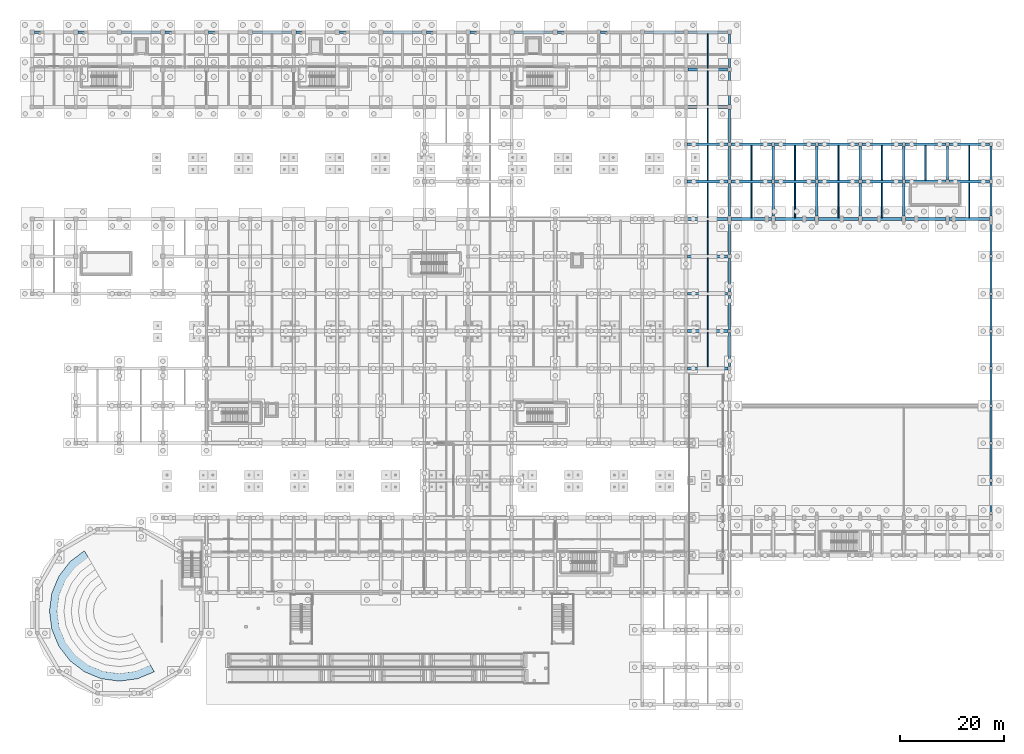
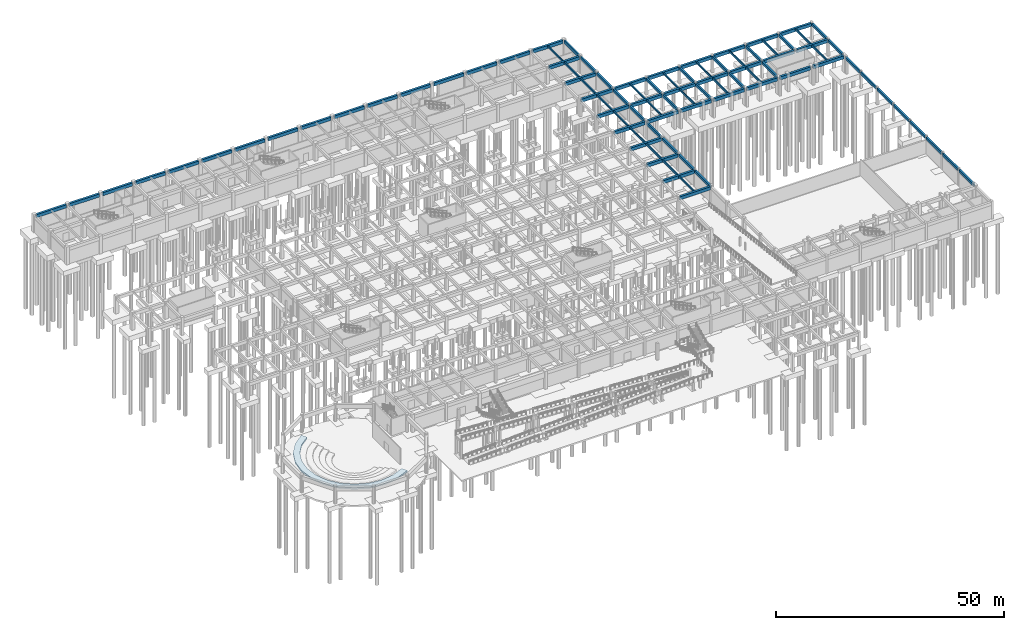
# One storey, part 56 of 80: 91 beams, 1 slab.
"""IFC4 building model written with IfcOpenShell, lengths in metres."""

from ifc_helpers import new_model, si_unit, direction, frame, origin, origin_2d, place, context, subcontext, project, spatial, polyline, rectangle, outline, extrude, material, layer, layer_set, material_profile, profile_set, type_object, element, save


model = new_model("IFC4")

# Units and contexts
model_context = context("Model", 3, precision=1e-05, world=origin(), true_north=direction((0.0, 1.0)))
body_context = subcontext(model_context, "Body", "Model", "MODEL_VIEW")
ifc_project = project(units=[si_unit("LENGTHUNIT", "METRE"), si_unit("AREAUNIT", "SQUARE_METRE"), si_unit("VOLUMEUNIT", "CUBIC_METRE"), si_unit("PLANEANGLEUNIT", "RADIAN"), si_unit("MASSUNIT", "GRAM", prefix="KILO")], contexts=[model_context])

# Site, building, storey
site_placement = place(None, origin())
site = spatial("IfcSite", under=ifc_project, at=site_placement, CompositionType="ELEMENT")
building_placement = place(site_placement, origin())
building = spatial("IfcBuilding", under=site, at=building_placement, Name="Malvenik Polytechnic", CompositionType="ELEMENT")
storey_placement = place(building_placement, frame((0.0, 0.0, -4.800048828125)))
storey = spatial("IfcBuildingStorey", under=building, at=storey_placement, Name="B1", CompositionType="ELEMENT", Elevation=-4.800048828125)

# Beams
ifc_material_1 = material(Name="Concrete C35/45", Category="concrete")
ifc_material_profile_1 = material_profile(ifc_material_1, rectangle(XDim=0.550048828125, YDim=0.85009765625, at=origin_2d()), Name="RC BM 550x850")
ifc_profile_set_1 = profile_set([ifc_material_profile_1], Name="Concrete C35/45")
beam_type_1 = type_object("IfcBeamType", Name="STR-BM-B-01", PredefinedType="BEAM", material=ifc_profile_set_1)
beam_1_placement = place(storey_placement, frame((126.298095703125, 64.800048828125, 4.074951171875), z_axis=(1.0, 0.0, 0.0), x_axis=(0.0, 1.0, 0.0)))
element("IfcBeam", 1, at=beam_1_placement, inside=storey, type_object=beam_type_1, Name="Primary Beam B-01 B1 #93", PredefinedType="BEAM", context=body_context, shape_type="SweptSolid", body=[
    extrude(rectangle(XDim=0.550048828125, YDim=0.85009765625, at=origin_2d()), origin(), (0.0, 0.0, 1.0), 7.77880859375),
])
beam_2_placement = place(storey_placement, frame((126.298095703125, 72.0, 4.074951171875), z_axis=(1.0, 0.0, 0.0), x_axis=(0.0, 1.0, 0.0)))
element("IfcBeam", 2, at=beam_2_placement, inside=storey, type_object=beam_type_1, Name="Primary Beam B-01 B1 #105", PredefinedType="BEAM", context=body_context, shape_type="SweptSolid", body=[
    extrude(rectangle(XDim=0.550048828125, YDim=0.85009765625, at=origin_2d()), origin(), (0.0, 0.0, 1.0), 7.85400390625),
])
for number, where, z_axis, x_axis, name in (
    (3, (126.298095703125, 79.199951171875, 4.074951171875), (1.0, 0.0, 0.0), (0.0, 1.0, 0.0), "Primary Beam B-01 B1 #121"),
    (4, (126.298095703125, 86.39990234375, 4.074951171875), (1.0, 0.0, 0.0), (0.0, 1.0, 0.0), "Primary Beam B-01 B1 #133"),
):
    element("IfcBeam", number, at=place(storey_placement, frame(where, z_axis=z_axis, x_axis=x_axis)), inside=storey, type_object=beam_type_1, Name=name, PredefinedType="BEAM", context=body_context, shape_type="SweptSolid", body=[
        extrude(rectangle(XDim=0.550048828125, YDim=0.85009765625, at=origin_2d()), origin(), (0.0, 0.0, 1.0), 7.75390625),
    ])
beam_3_placement = place(storey_placement, frame((126.347900390625, 93.60009765625, 4.074951171875), z_axis=(1.0, 0.0, 0.0), x_axis=(0.0, 1.0, 0.0)))
element("IfcBeam", 5, at=beam_3_placement, inside=storey, type_object=beam_type_1, Name="Primary Beam B-01 B1 #149", PredefinedType="BEAM", context=body_context, shape_type="SweptSolid", body=[
    extrude(rectangle(XDim=0.550048828125, YDim=0.85009765625, at=origin_2d()), origin(), (0.0, 0.0, 1.0), 7.72900390625),
])
beam_4_placement = place(storey_placement, frame((134.722900390625, 93.60009765625, 4.074951171875), z_axis=(1.0, 0.0, 0.0), x_axis=(0.0, 1.0, 0.0)))
element("IfcBeam", 6, at=beam_4_placement, inside=storey, type_object=beam_type_1, Name="Primary Beam B-01 B1 #150", PredefinedType="BEAM", context=body_context, shape_type="SweptSolid", body=[
    extrude(rectangle(XDim=0.550048828125, YDim=0.85009765625, at=origin_2d()), origin(), (0.0, 0.0, 1.0), 7.754150390625),
])
beam_5_placement = place(storey_placement, frame((143.123046875, 93.60009765625, 4.074951171875), z_axis=(1.0, 0.0, 0.0), x_axis=(0.0, 1.0, 0.0)))
element("IfcBeam", 7, at=beam_5_placement, inside=storey, type_object=beam_type_1, Name="Primary Beam B-01 B1 #151", PredefinedType="BEAM", context=body_context, shape_type="SweptSolid", body=[
    extrude(rectangle(XDim=0.550048828125, YDim=0.85009765625, at=origin_2d()), origin(), (0.0, 0.0, 1.0), 7.75390625),
])
beam_6_placement = place(storey_placement, frame((151.52294921875, 93.60009765625, 4.074951171875), z_axis=(1.0, 0.0, 0.0), x_axis=(0.0, 1.0, 0.0)))
element("IfcBeam", 8, at=beam_6_placement, inside=storey, type_object=beam_type_1, Name="Primary Beam B-01 B1 #152", PredefinedType="BEAM", context=body_context, shape_type="SweptSolid", body=[
    extrude(rectangle(XDim=0.550048828125, YDim=0.85009765625, at=origin_2d()), origin(), (0.0, 0.0, 1.0), 7.754150390625),
])
for number, where, z_axis, x_axis, name in (
    (9, (159.923095703125, 93.60009765625, 4.074951171875), (1.0, 0.0, 0.0), (0.0, 1.0, 0.0), "Primary Beam B-01 B1 #153"),
    (10, (168.322998046875, 93.60009765625, 4.074951171875), (1.0, 0.0, 0.0), (0.0, 1.0, 0.0), "Primary Beam B-01 B1 #154"),
):
    element("IfcBeam", number, at=place(storey_placement, frame(where, z_axis=z_axis, x_axis=x_axis)), inside=storey, type_object=beam_type_1, Name=name, PredefinedType="BEAM", context=body_context, shape_type="SweptSolid", body=[
        extrude(rectangle(XDim=0.550048828125, YDim=0.85009765625, at=origin_2d()), origin(), (0.0, 0.0, 1.0), 7.75390625),
    ])
beam_7_placement = place(storey_placement, frame((176.722900390625, 93.60009765625, 4.074951171875), z_axis=(1.0, 0.0, 0.0), x_axis=(0.0, 1.0, 0.0)))
element("IfcBeam", 11, at=beam_7_placement, inside=storey, type_object=beam_type_1, Name="Primary Beam B-01 B1 #155", PredefinedType="BEAM", context=body_context, shape_type="SweptSolid", body=[
    extrude(rectangle(XDim=0.550048828125, YDim=0.85009765625, at=origin_2d()), origin(), (0.0, 0.0, 1.0), 7.754150390625),
])
for number, where, z_axis, x_axis, name in (
    (12, (126.248046875, 100.800048828125, 4.074951171875), (1.0, 0.0, 0.0), (0.0, 1.0, 0.0), "Primary Beam B-01 B1 #158"),
    (13, (134.64794921875, 100.800048828125, 4.074951171875), (1.0, 0.0, 0.0), (0.0, 1.0, 0.0), "Primary Beam B-01 B1 #159"),
):
    element("IfcBeam", number, at=place(storey_placement, frame(where, z_axis=z_axis, x_axis=x_axis)), inside=storey, type_object=beam_type_1, Name=name, PredefinedType="BEAM", context=body_context, shape_type="SweptSolid", body=[
        extrude(rectangle(XDim=0.550048828125, YDim=0.85009765625, at=origin_2d()), origin(), (0.0, 0.0, 1.0), 7.904052734375),
    ])
beam_8_placement = place(storey_placement, frame((143.048095703125, 100.800048828125, 4.074951171875), z_axis=(1.0, 0.0, 0.0), x_axis=(0.0, 1.0, 0.0)))
element("IfcBeam", 14, at=beam_8_placement, inside=storey, type_object=beam_type_1, Name="Primary Beam B-01 B1 #160", PredefinedType="BEAM", context=body_context, shape_type="SweptSolid", body=[
    extrude(rectangle(XDim=0.550048828125, YDim=0.85009765625, at=origin_2d()), origin(), (0.0, 0.0, 1.0), 7.90380859375),
])
for number, where, z_axis, x_axis, name in (
    (15, (151.447998046875, 100.800048828125, 4.074951171875), (1.0, 0.0, 0.0), (0.0, 1.0, 0.0), "Primary Beam B-01 B1 #161"),
    (16, (159.89794921875, 100.800048828125, 4.074951171875), (1.0, 0.0, 0.0), (0.0, 1.0, 0.0), "Primary Beam B-01 B1 #162"),
    (17, (168.248046875, 100.800048828125, 4.074951171875), (1.0, 0.0, 0.0), (0.0, 1.0, 0.0), "Primary Beam B-01 B1 #163"),
    (18, (176.697998046875, 100.800048828125, 4.074951171875), (1.0, 0.0, 0.0), (0.0, 1.0, 0.0), "Primary Beam B-01 B1 #164"),
):
    element("IfcBeam", number, at=place(storey_placement, frame(where, z_axis=z_axis, x_axis=x_axis)), inside=storey, type_object=beam_type_1, Name=name, PredefinedType="BEAM", context=body_context, shape_type="SweptSolid", body=[
        extrude(rectangle(XDim=0.550048828125, YDim=0.85009765625, at=origin_2d()), origin(), (0.0, 0.0, 1.0), 7.85400390625),
    ])
for number, where, z_axis, x_axis, name in (
    (19, (126.248046875, 108.0, 4.074951171875), (1.0, 0.0, 0.0), (0.0, 1.0, 0.0), "Primary Beam B-01 B1 #167"),
    (20, (134.64794921875, 108.0, 4.074951171875), (1.0, 0.0, 0.0), (0.0, 1.0, 0.0), "Primary Beam B-01 B1 #168"),
):
    element("IfcBeam", number, at=place(storey_placement, frame(where, z_axis=z_axis, x_axis=x_axis)), inside=storey, type_object=beam_type_1, Name=name, PredefinedType="BEAM", context=body_context, shape_type="SweptSolid", body=[
        extrude(rectangle(XDim=0.550048828125, YDim=0.85009765625, at=origin_2d()), origin(), (0.0, 0.0, 1.0), 7.904052734375),
    ])
beam_9_placement = place(storey_placement, frame((143.048095703125, 108.0, 4.074951171875), z_axis=(1.0, 0.0, 0.0), x_axis=(0.0, 1.0, 0.0)))
element("IfcBeam", 21, at=beam_9_placement, inside=storey, type_object=beam_type_1, Name="Primary Beam B-01 B1 #169", PredefinedType="BEAM", context=body_context, shape_type="SweptSolid", body=[
    extrude(rectangle(XDim=0.550048828125, YDim=0.85009765625, at=origin_2d()), origin(), (0.0, 0.0, 1.0), 7.90380859375),
])
for number, where, z_axis, x_axis, name in (
    (22, (151.447998046875, 108.0, 4.074951171875), (1.0, 0.0, 0.0), (0.0, 1.0, 0.0), "Primary Beam B-01 B1 #170"),
    (23, (159.89794921875, 108.0, 4.074951171875), (1.0, 0.0, 0.0), (0.0, 1.0, 0.0), "Primary Beam B-01 B1 #171"),
    (24, (168.248046875, 108.0, 4.074951171875), (1.0, 0.0, 0.0), (0.0, 1.0, 0.0), "Primary Beam B-01 B1 #172"),
    (25, (176.697998046875, 108.0, 4.074951171875), (1.0, 0.0, 0.0), (0.0, 1.0, 0.0), "Primary Beam B-01 B1 #173"),
):
    element("IfcBeam", number, at=place(storey_placement, frame(where, z_axis=z_axis, x_axis=x_axis)), inside=storey, type_object=beam_type_1, Name=name, PredefinedType="BEAM", context=body_context, shape_type="SweptSolid", body=[
        extrude(rectangle(XDim=0.550048828125, YDim=0.85009765625, at=origin_2d()), origin(), (0.0, 0.0, 1.0), 7.85400390625),
    ])
for number, where, z_axis, x_axis, name in (
    (26, (126.373046875, 115.199951171875, 4.074951171875), (1.0, 0.0, 0.0), (0.0, 1.0, 0.0), "Primary Beam B-01 B1 #189"),
    (27, (126.373046875, 122.39990234375, 4.074951171875), (1.0, 0.0, 0.0), (0.0, 1.0, 0.0), "Primary Beam B-01 B1 #199"),
):
    element("IfcBeam", number, at=place(storey_placement, frame(where, z_axis=z_axis, x_axis=x_axis)), inside=storey, type_object=beam_type_1, Name=name, PredefinedType="BEAM", context=body_context, shape_type="SweptSolid", body=[
        extrude(rectangle(XDim=0.550048828125, YDim=0.85009765625, at=origin_2d()), origin(), (0.0, 0.0, 1.0), 7.654052734375),
    ])
for number, where, z_axis, x_axis, name in (
    (28, (0.423095703125, 129.60009765625, 4.074951171875), (1.0, 0.0, 0.0), (0.0, 1.0, 0.0), "Primary Beam B-01 B1 #200"),
    (29, (8.822998046875, 129.60009765625, 4.074951171875), (1.0, 0.0, 0.0), (0.0, 1.0, 0.0), "Primary Beam B-01 B1 #201"),
):
    element("IfcBeam", number, at=place(storey_placement, frame(where, z_axis=z_axis, x_axis=x_axis)), inside=storey, type_object=beam_type_1, Name=name, PredefinedType="BEAM", context=body_context, shape_type="SweptSolid", body=[
        extrude(rectangle(XDim=0.550048828125, YDim=0.85009765625, at=origin_2d()), origin(), (0.0, 0.0, 1.0), 7.553955078125),
    ])
beam_10_placement = place(storey_placement, frame((17.222900390625, 129.60009765625, 4.074951171875), z_axis=(1.0, 0.0, 0.0), x_axis=(0.0, 1.0, 0.0)))
element("IfcBeam", 30, at=beam_10_placement, inside=storey, type_object=beam_type_1, Name="Primary Beam B-01 B1 #202", PredefinedType="BEAM", context=body_context, shape_type="SweptSolid", body=[
    extrude(rectangle(XDim=0.550048828125, YDim=0.85009765625, at=origin_2d()), origin(), (0.0, 0.0, 1.0), 7.55419921875),
])
for number, where, z_axis, x_axis, name in (
    (31, (25.623046875, 129.60009765625, 4.074951171875), (1.0, 0.0, 0.0), (0.0, 1.0, 0.0), "Primary Beam B-01 B1 #203"),
    (32, (34.02294921875, 129.60009765625, 4.074951171875), (1.0, 0.0, 0.0), (0.0, 1.0, 0.0), "Primary Beam B-01 B1 #204"),
    (33, (42.423095703125, 129.60009765625, 4.074951171875), (1.0, 0.0, 0.0), (0.0, 1.0, 0.0), "Primary Beam B-01 B1 #205"),
    (34, (50.822998046875, 129.60009765625, 4.074951171875), (1.0, 0.0, 0.0), (0.0, 1.0, 0.0), "Primary Beam B-01 B1 #206"),
):
    element("IfcBeam", number, at=place(storey_placement, frame(where, z_axis=z_axis, x_axis=x_axis)), inside=storey, type_object=beam_type_1, Name=name, PredefinedType="BEAM", context=body_context, shape_type="SweptSolid", body=[
        extrude(rectangle(XDim=0.550048828125, YDim=0.85009765625, at=origin_2d()), origin(), (0.0, 0.0, 1.0), 7.553955078125),
    ])
beam_11_placement = place(storey_placement, frame((59.222900390625, 129.60009765625, 4.074951171875), z_axis=(1.0, 0.0, 0.0), x_axis=(0.0, 1.0, 0.0)))
element("IfcBeam", 35, at=beam_11_placement, inside=storey, type_object=beam_type_1, Name="Primary Beam B-01 B1 #207", PredefinedType="BEAM", context=body_context, shape_type="SweptSolid", body=[
    extrude(rectangle(XDim=0.550048828125, YDim=0.85009765625, at=origin_2d()), origin(), (0.0, 0.0, 1.0), 7.55419921875),
])
for number, where, z_axis, x_axis, name in (
    (36, (67.623046875, 129.60009765625, 4.074951171875), (1.0, 0.0, 0.0), (0.0, 1.0, 0.0), "Primary Beam B-01 B1 #208"),
    (37, (76.02294921875, 129.60009765625, 4.074951171875), (1.0, 0.0, 0.0), (0.0, 1.0, 0.0), "Primary Beam B-01 B1 #209"),
    (38, (84.423095703125, 129.60009765625, 4.074951171875), (1.0, 0.0, 0.0), (0.0, 1.0, 0.0), "Primary Beam B-01 B1 #210"),
    (39, (92.822998046875, 129.60009765625, 4.074951171875), (1.0, 0.0, 0.0), (0.0, 1.0, 0.0), "Primary Beam B-01 B1 #211"),
):
    element("IfcBeam", number, at=place(storey_placement, frame(where, z_axis=z_axis, x_axis=x_axis)), inside=storey, type_object=beam_type_1, Name=name, PredefinedType="BEAM", context=body_context, shape_type="SweptSolid", body=[
        extrude(rectangle(XDim=0.550048828125, YDim=0.85009765625, at=origin_2d()), origin(), (0.0, 0.0, 1.0), 7.553955078125),
    ])
beam_12_placement = place(storey_placement, frame((101.222900390625, 129.60009765625, 4.074951171875), z_axis=(1.0, 0.0, 0.0), x_axis=(0.0, 1.0, 0.0)))
element("IfcBeam", 40, at=beam_12_placement, inside=storey, type_object=beam_type_1, Name="Primary Beam B-01 B1 #212", PredefinedType="BEAM", context=body_context, shape_type="SweptSolid", body=[
    extrude(rectangle(XDim=0.550048828125, YDim=0.85009765625, at=origin_2d()), origin(), (0.0, 0.0, 1.0), 7.60400390625),
])
for number, where, z_axis, x_axis, name in (
    (41, (109.572998046875, 129.60009765625, 4.074951171875), (1.0, 0.0, 0.0), (0.0, 1.0, 0.0), "Primary Beam B-01 B1 #213"),
    (42, (117.972900390625, 129.60009765625, 4.074951171875), (1.0, 0.0, 0.0), (0.0, 1.0, 0.0), "Primary Beam B-01 B1 #214"),
    (43, (126.373046875, 129.60009765625, 4.074951171875), (1.0, 0.0, 0.0), (0.0, 1.0, 0.0), "Primary Beam B-01 B1 #215"),
):
    element("IfcBeam", number, at=place(storey_placement, frame(where, z_axis=z_axis, x_axis=x_axis)), inside=storey, type_object=beam_type_1, Name=name, PredefinedType="BEAM", context=body_context, shape_type="SweptSolid", body=[
        extrude(rectangle(XDim=0.550048828125, YDim=0.85009765625, at=origin_2d()), origin(), (0.0, 0.0, 1.0), 7.654052734375),
    ])
ifc_material_profile_2 = material_profile(ifc_material_1, rectangle(XDim=0.449951171875, YDim=0.699951171875, at=origin_2d()), Name="RC BM 450x700")
ifc_profile_set_2 = profile_set([ifc_material_profile_2], Name="Concrete C35/45")
beam_type_2 = type_object("IfcBeamType", Name="STR-BM-B-04", PredefinedType="BEAM", material=ifc_profile_set_2)
beam_13_placement = place(storey_placement, frame((134.39990234375, 65.123046875, 4.150146484375), z_axis=(0.0, 1.0, 0.0), x_axis=(-1.0, 0.0, 0.0)))
element("IfcBeam", 44, at=beam_13_placement, inside=storey, type_object=beam_type_2, Name="Transverse Beam B-04 B1 #374", PredefinedType="BEAM", context=body_context, shape_type="SweptSolid", body=[
    extrude(rectangle(XDim=0.449951171875, YDim=0.699951171875, at=origin_2d()), origin(), (0.0, 0.0, 1.0), 6.62890625),
])
beam_14_placement = place(storey_placement, frame((134.39990234375, 72.248046875, 4.150146484375), z_axis=(0.0, 1.0, 0.0), x_axis=(-1.0, 0.0, 0.0)))
element("IfcBeam", 45, at=beam_14_placement, inside=storey, type_object=beam_type_2, Name="Transverse Beam B-04 B1 #375", PredefinedType="BEAM", context=body_context, shape_type="SweptSolid", body=[
    extrude(rectangle(XDim=0.449951171875, YDim=0.699951171875, at=origin_2d()), origin(), (0.0, 0.0, 1.0), 6.60400390625),
])
beam_15_placement = place(storey_placement, frame((134.39990234375, 79.548095703125, 4.150146484375), z_axis=(0.0, 1.0, 0.0), x_axis=(-1.0, 0.0, 0.0)))
element("IfcBeam", 46, at=beam_15_placement, inside=storey, type_object=beam_type_2, Name="Transverse Beam B-04 B1 #376", PredefinedType="BEAM", context=body_context, shape_type="SweptSolid", body=[
    extrude(rectangle(XDim=0.449951171875, YDim=0.699951171875, at=origin_2d()), origin(), (0.0, 0.0, 1.0), 6.50390625),
])
beam_16_placement = place(storey_placement, frame((134.39990234375, 86.748046875, 4.150146484375), z_axis=(0.0, 1.0, 0.0), x_axis=(-1.0, 0.0, 0.0)))
element("IfcBeam", 47, at=beam_16_placement, inside=storey, type_object=beam_type_2, Name="Transverse Beam B-04 B1 #377", PredefinedType="BEAM", context=body_context, shape_type="SweptSolid", body=[
    extrude(rectangle(XDim=0.449951171875, YDim=0.699951171875, at=origin_2d()), origin(), (0.0, 0.0, 1.0), 6.303955078125),
])
beam_17_placement = place(storey_placement, frame((134.39990234375, 94.14794921875, 4.150146484375), z_axis=(0.0, 1.0, 0.0), x_axis=(-1.0, 0.0, 0.0)))
element("IfcBeam", 48, at=beam_17_placement, inside=storey, type_object=beam_type_2, Name="Transverse Beam B-04 B1 #378", PredefinedType="BEAM", context=body_context, shape_type="SweptSolid", body=[
    extrude(rectangle(XDim=0.449951171875, YDim=0.699951171875, at=origin_2d()), origin(), (0.0, 0.0, 1.0), 6.279052734375),
])
for number, where, z_axis, x_axis, name in (
    (49, (134.39990234375, 101.173095703125, 4.150146484375), (0.0, 1.0, 0.0), (-1.0, 0.0, 0.0), "Transverse Beam B-04 B1 #379"),
    (50, (134.39990234375, 108.373046875, 4.150146484375), (0.0, 1.0, 0.0), (-1.0, 0.0, 0.0), "Transverse Beam B-04 B1 #380"),
):
    element("IfcBeam", number, at=place(storey_placement, frame(where, z_axis=z_axis, x_axis=x_axis)), inside=storey, type_object=beam_type_2, Name=name, PredefinedType="BEAM", context=body_context, shape_type="SweptSolid", body=[
        extrude(rectangle(XDim=0.449951171875, YDim=0.699951171875, at=origin_2d()), origin(), (0.0, 0.0, 1.0), 6.453857421875),
    ])
for number, where, z_axis, x_axis, name in (
    (51, (134.39990234375, 115.572998046875, 4.150146484375), (0.0, 1.0, 0.0), (-1.0, 0.0, 0.0), "Transverse Beam B-04 B1 #381"),
    (52, (134.39990234375, 122.77294921875, 4.150146484375), (0.0, 1.0, 0.0), (-1.0, 0.0, 0.0), "Transverse Beam B-04 B1 #382"),
):
    element("IfcBeam", number, at=place(storey_placement, frame(where, z_axis=z_axis, x_axis=x_axis)), inside=storey, type_object=beam_type_2, Name=name, PredefinedType="BEAM", context=body_context, shape_type="SweptSolid", body=[
        extrude(rectangle(XDim=0.449951171875, YDim=0.699951171875, at=origin_2d()), origin(), (0.0, 0.0, 1.0), 6.4541015625),
    ])
beam_18_placement = place(storey_placement, frame((142.800048828125, 94.14794921875, 4.150146484375), z_axis=(0.0, 1.0, 0.0), x_axis=(-1.0, 0.0, 0.0)))
element("IfcBeam", 53, at=beam_18_placement, inside=storey, type_object=beam_type_2, Name="Transverse Beam B-04 B1 #384", PredefinedType="BEAM", context=body_context, shape_type="SweptSolid", body=[
    extrude(rectangle(XDim=0.449951171875, YDim=0.699951171875, at=origin_2d()), origin(), (0.0, 0.0, 1.0), 6.279052734375),
])
beam_19_placement = place(storey_placement, frame((142.800048828125, 101.173095703125, 4.150146484375), z_axis=(0.0, 1.0, 0.0), x_axis=(-1.0, 0.0, 0.0)))
element("IfcBeam", 54, at=beam_19_placement, inside=storey, type_object=beam_type_2, Name="Transverse Beam B-04 B1 #385", PredefinedType="BEAM", context=body_context, shape_type="SweptSolid", body=[
    extrude(rectangle(XDim=0.449951171875, YDim=0.699951171875, at=origin_2d()), origin(), (0.0, 0.0, 1.0), 6.453857421875),
])
beam_20_placement = place(storey_placement, frame((151.199951171875, 94.14794921875, 4.150146484375), z_axis=(0.0, 1.0, 0.0), x_axis=(-1.0, 0.0, 0.0)))
element("IfcBeam", 55, at=beam_20_placement, inside=storey, type_object=beam_type_2, Name="Transverse Beam B-04 B1 #387", PredefinedType="BEAM", context=body_context, shape_type="SweptSolid", body=[
    extrude(rectangle(XDim=0.449951171875, YDim=0.699951171875, at=origin_2d()), origin(), (0.0, 0.0, 1.0), 6.279052734375),
])
beam_21_placement = place(storey_placement, frame((151.199951171875, 101.173095703125, 4.150146484375), z_axis=(0.0, 1.0, 0.0), x_axis=(-1.0, 0.0, 0.0)))
element("IfcBeam", 56, at=beam_21_placement, inside=storey, type_object=beam_type_2, Name="Transverse Beam B-04 B1 #388", PredefinedType="BEAM", context=body_context, shape_type="SweptSolid", body=[
    extrude(rectangle(XDim=0.449951171875, YDim=0.699951171875, at=origin_2d()), origin(), (0.0, 0.0, 1.0), 6.453857421875),
])
beam_22_placement = place(storey_placement, frame((159.60009765625, 94.14794921875, 4.150146484375), z_axis=(0.0, 1.0, 0.0), x_axis=(-1.0, 0.0, 0.0)))
element("IfcBeam", 57, at=beam_22_placement, inside=storey, type_object=beam_type_2, Name="Transverse Beam B-04 B1 #389", PredefinedType="BEAM", context=body_context, shape_type="SweptSolid", body=[
    extrude(rectangle(XDim=0.449951171875, YDim=0.699951171875, at=origin_2d()), origin(), (0.0, 0.0, 1.0), 6.35400390625),
])
beam_23_placement = place(storey_placement, frame((159.60009765625, 101.097900390625, 4.150146484375), z_axis=(0.0, 1.0, 0.0), x_axis=(-1.0, 0.0, 0.0)))
element("IfcBeam", 58, at=beam_23_placement, inside=storey, type_object=beam_type_2, Name="Transverse Beam B-04 B1 #390", PredefinedType="BEAM", context=body_context, shape_type="SweptSolid", body=[
    extrude(rectangle(XDim=0.449951171875, YDim=0.699951171875, at=origin_2d()), origin(), (0.0, 0.0, 1.0), 6.60400390625),
])
beam_24_placement = place(storey_placement, frame((168.0, 94.14794921875, 4.150146484375), z_axis=(0.0, 1.0, 0.0), x_axis=(-1.0, 0.0, 0.0)))
element("IfcBeam", 59, at=beam_24_placement, inside=storey, type_object=beam_type_2, Name="Transverse Beam B-04 B1 #392", PredefinedType="BEAM", context=body_context, shape_type="SweptSolid", body=[
    extrude(rectangle(XDim=0.449951171875, YDim=0.699951171875, at=origin_2d()), origin(), (0.0, 0.0, 1.0), 6.279052734375),
])
beam_25_placement = place(storey_placement, frame((168.0, 101.173095703125, 4.150146484375), z_axis=(0.0, 1.0, 0.0), x_axis=(-1.0, 0.0, 0.0)))
element("IfcBeam", 60, at=beam_25_placement, inside=storey, type_object=beam_type_2, Name="Transverse Beam B-04 B1 #393", PredefinedType="BEAM", context=body_context, shape_type="SweptSolid", body=[
    extrude(rectangle(XDim=0.449951171875, YDim=0.699951171875, at=origin_2d()), origin(), (0.0, 0.0, 1.0), 6.453857421875),
])
beam_26_placement = place(storey_placement, frame((176.39990234375, 101.097900390625, 4.150146484375), z_axis=(0.0, 1.0, 0.0), x_axis=(-1.0, 0.0, 0.0)))
element("IfcBeam", 61, at=beam_26_placement, inside=storey, type_object=beam_type_2, Name="Transverse Beam B-04 B1 #395", PredefinedType="BEAM", context=body_context, shape_type="SweptSolid", body=[
    extrude(rectangle(XDim=0.449951171875, YDim=0.699951171875, at=origin_2d()), origin(), (0.0, 0.0, 1.0), 6.60400390625),
])
beam_27_placement = place(storey_placement, frame((184.800048828125, 36.548095703125, 4.150146484375), z_axis=(0.0, 1.0, 0.0), x_axis=(-1.0, 0.0, 0.0)))
element("IfcBeam", 62, at=beam_27_placement, inside=storey, type_object=beam_type_2, Name="Transverse Beam B-04 B1 #397", PredefinedType="BEAM", context=body_context, shape_type="SweptSolid", body=[
    extrude(rectangle(XDim=0.449951171875, YDim=0.699951171875, at=origin_2d()), origin(), (0.0, 0.0, 1.0), 6.40380859375),
])
for number, where, z_axis, x_axis, name in (
    (63, (184.800048828125, 43.447998046875, 4.150146484375), (0.0, 1.0, 0.0), (-1.0, 0.0, 0.0), "Transverse Beam B-04 B1 #398"),
    (64, (184.800048828125, 50.64794921875, 4.150146484375), (0.0, 1.0, 0.0), (-1.0, 0.0, 0.0), "Transverse Beam B-04 B1 #399"),
    (65, (184.800048828125, 57.847900390625, 4.150146484375), (0.0, 1.0, 0.0), (-1.0, 0.0, 0.0), "Transverse Beam B-04 B1 #400"),
):
    element("IfcBeam", number, at=place(storey_placement, frame(where, z_axis=z_axis, x_axis=x_axis)), inside=storey, type_object=beam_type_2, Name=name, PredefinedType="BEAM", context=body_context, shape_type="SweptSolid", body=[
        extrude(rectangle(XDim=0.449951171875, YDim=0.699951171875, at=origin_2d()), origin(), (0.0, 0.0, 1.0), 6.7041015625),
    ])
for number, where, z_axis, x_axis, name in (
    (66, (184.800048828125, 65.048095703125, 4.150146484375), (0.0, 1.0, 0.0), (-1.0, 0.0, 0.0), "Transverse Beam B-04 B1 #401"),
    (67, (184.800048828125, 72.248046875, 4.150146484375), (0.0, 1.0, 0.0), (-1.0, 0.0, 0.0), "Transverse Beam B-04 B1 #402"),
):
    element("IfcBeam", number, at=place(storey_placement, frame(where, z_axis=z_axis, x_axis=x_axis)), inside=storey, type_object=beam_type_2, Name=name, PredefinedType="BEAM", context=body_context, shape_type="SweptSolid", body=[
        extrude(rectangle(XDim=0.449951171875, YDim=0.699951171875, at=origin_2d()), origin(), (0.0, 0.0, 1.0), 6.703857421875),
    ])
beam_28_placement = place(storey_placement, frame((184.800048828125, 79.447998046875, 4.150146484375), z_axis=(0.0, 1.0, 0.0), x_axis=(-1.0, 0.0, 0.0)))
element("IfcBeam", 68, at=beam_28_placement, inside=storey, type_object=beam_type_2, Name="Transverse Beam B-04 B1 #403", PredefinedType="BEAM", context=body_context, shape_type="SweptSolid", body=[
    extrude(rectangle(XDim=0.449951171875, YDim=0.699951171875, at=origin_2d()), origin(), (0.0, 0.0, 1.0), 6.7041015625),
])
beam_29_placement = place(storey_placement, frame((184.800048828125, 86.64794921875, 4.150146484375), z_axis=(0.0, 1.0, 0.0), x_axis=(-1.0, 0.0, 0.0)))
element("IfcBeam", 69, at=beam_29_placement, inside=storey, type_object=beam_type_2, Name="Transverse Beam B-04 B1 #404", PredefinedType="BEAM", context=body_context, shape_type="SweptSolid", body=[
    extrude(rectangle(XDim=0.449951171875, YDim=0.699951171875, at=origin_2d()), origin(), (0.0, 0.0, 1.0), 6.404052734375),
])
beam_30_placement = place(storey_placement, frame((184.800048828125, 94.14794921875, 4.150146484375), z_axis=(0.0, 1.0, 0.0), x_axis=(-1.0, 0.0, 0.0)))
element("IfcBeam", 70, at=beam_30_placement, inside=storey, type_object=beam_type_2, Name="Transverse Beam B-04 B1 #405", PredefinedType="BEAM", context=body_context, shape_type="SweptSolid", body=[
    extrude(rectangle(XDim=0.449951171875, YDim=0.699951171875, at=origin_2d()), origin(), (0.0, 0.0, 1.0), 6.279052734375),
])
beam_31_placement = place(storey_placement, frame((184.800048828125, 101.173095703125, 4.150146484375), z_axis=(0.0, 1.0, 0.0), x_axis=(-1.0, 0.0, 0.0)))
element("IfcBeam", 71, at=beam_31_placement, inside=storey, type_object=beam_type_2, Name="Transverse Beam B-04 B1 #406", PredefinedType="BEAM", context=body_context, shape_type="SweptSolid", body=[
    extrude(rectangle(XDim=0.449951171875, YDim=0.699951171875, at=origin_2d()), origin(), (0.0, 0.0, 1.0), 6.453857421875),
])
ifc_material_2 = material(Name="Concrete C30/37", Category="concrete")
ifc_material_profile_3 = material_profile(ifc_material_2, rectangle(XDim=0.280029296875, YDim=0.47998046875, at=origin_2d()), Name="RC JST 280x480")
ifc_profile_set_3 = profile_set([ifc_material_profile_3], Name="Concrete C30/37")
beam_type_3 = type_object("IfcBeamType", Name="STR-BM-J-01", PredefinedType="JOIST", material=ifc_profile_set_3)
for number, where, z_axis, x_axis, name in (
    (72, (130.199951171875, 65.072998046875, 4.260009765625), (0.0, 1.0, 0.0), (-1.0, 0.0, 0.0), "Secondary Rib Joist J-01 B1 #507"),
    (73, (130.199951171875, 72.27294921875, 4.260009765625), (0.0, 1.0, 0.0), (-1.0, 0.0, 0.0), "Secondary Rib Joist J-01 B1 #508"),
    (74, (130.199951171875, 79.472900390625, 4.260009765625), (0.0, 1.0, 0.0), (-1.0, 0.0, 0.0), "Secondary Rib Joist J-01 B1 #509"),
):
    element("IfcBeam", number, at=place(storey_placement, frame(where, z_axis=z_axis, x_axis=x_axis)), inside=storey, type_object=beam_type_3, Name=name, PredefinedType="JOIST", context=body_context, shape_type="SweptSolid", body=[
        extrude(rectangle(XDim=0.280029296875, YDim=0.47998046875, at=origin_2d()), origin(), (0.0, 0.0, 1.0), 6.654052734375),
    ])
beam_32_placement = place(storey_placement, frame((130.199951171875, 86.673095703125, 4.260009765625), z_axis=(0.0, 1.0, 0.0), x_axis=(-1.0, 0.0, 0.0)))
element("IfcBeam", 75, at=beam_32_placement, inside=storey, type_object=beam_type_3, Name="Secondary Rib Joist J-01 B1 #510", PredefinedType="JOIST", context=body_context, shape_type="SweptSolid", body=[
    extrude(rectangle(XDim=0.280029296875, YDim=0.47998046875, at=origin_2d()), origin(), (0.0, 0.0, 1.0), 6.65380859375),
])
for number, where, z_axis, x_axis, name in (
    (76, (130.199951171875, 93.873046875, 4.260009765625), (0.0, 1.0, 0.0), (-1.0, 0.0, 0.0), "Secondary Rib Joist J-01 B1 #511"),
    (77, (130.199951171875, 101.072998046875, 4.260009765625), (0.0, 1.0, 0.0), (-1.0, 0.0, 0.0), "Secondary Rib Joist J-01 B1 #512"),
    (78, (130.199951171875, 108.27294921875, 4.260009765625), (0.0, 1.0, 0.0), (-1.0, 0.0, 0.0), "Secondary Rib Joist J-01 B1 #513"),
    (79, (130.199951171875, 115.472900390625, 4.260009765625), (0.0, 1.0, 0.0), (-1.0, 0.0, 0.0), "Secondary Rib Joist J-01 B1 #514"),
):
    element("IfcBeam", number, at=place(storey_placement, frame(where, z_axis=z_axis, x_axis=x_axis)), inside=storey, type_object=beam_type_3, Name=name, PredefinedType="JOIST", context=body_context, shape_type="SweptSolid", body=[
        extrude(rectangle(XDim=0.280029296875, YDim=0.47998046875, at=origin_2d()), origin(), (0.0, 0.0, 1.0), 6.654052734375),
    ])
beam_33_placement = place(storey_placement, frame((130.199951171875, 122.673095703125, 4.260009765625), z_axis=(0.0, 1.0, 0.0), x_axis=(-1.0, 0.0, 0.0)))
element("IfcBeam", 80, at=beam_33_placement, inside=storey, type_object=beam_type_3, Name="Secondary Rib Joist J-01 B1 #515", PredefinedType="JOIST", context=body_context, shape_type="SweptSolid", body=[
    extrude(rectangle(XDim=0.280029296875, YDim=0.47998046875, at=origin_2d()), origin(), (0.0, 0.0, 1.0), 6.65380859375),
])
for number, where, z_axis, x_axis, name in (
    (81, (138.60009765625, 93.873046875, 4.260009765625), (0.0, 1.0, 0.0), (-1.0, 0.0, 0.0), "Secondary Rib Joist J-01 B1 #517"),
    (82, (138.60009765625, 101.072998046875, 4.260009765625), (0.0, 1.0, 0.0), (-1.0, 0.0, 0.0), "Secondary Rib Joist J-01 B1 #518"),
    (83, (147.0, 93.873046875, 4.260009765625), (0.0, 1.0, 0.0), (-1.0, 0.0, 0.0), "Secondary Rib Joist J-01 B1 #520"),
    (84, (147.0, 101.072998046875, 4.260009765625), (0.0, 1.0, 0.0), (-1.0, 0.0, 0.0), "Secondary Rib Joist J-01 B1 #521"),
    (85, (155.39990234375, 93.873046875, 4.260009765625), (0.0, 1.0, 0.0), (-1.0, 0.0, 0.0), "Secondary Rib Joist J-01 B1 #522"),
    (86, (155.39990234375, 101.072998046875, 4.260009765625), (0.0, 1.0, 0.0), (-1.0, 0.0, 0.0), "Secondary Rib Joist J-01 B1 #523"),
    (87, (163.800048828125, 93.873046875, 4.260009765625), (0.0, 1.0, 0.0), (-1.0, 0.0, 0.0), "Secondary Rib Joist J-01 B1 #525"),
    (88, (163.800048828125, 101.072998046875, 4.260009765625), (0.0, 1.0, 0.0), (-1.0, 0.0, 0.0), "Secondary Rib Joist J-01 B1 #526"),
    (89, (172.199951171875, 101.072998046875, 4.260009765625), (0.0, 1.0, 0.0), (-1.0, 0.0, 0.0), "Secondary Rib Joist J-01 B1 #528"),
    (90, (180.60009765625, 93.873046875, 4.260009765625), (0.0, 1.0, 0.0), (-1.0, 0.0, 0.0), "Secondary Rib Joist J-01 B1 #530"),
    (91, (180.60009765625, 101.072998046875, 4.260009765625), (0.0, 1.0, 0.0), (-1.0, 0.0, 0.0), "Secondary Rib Joist J-01 B1 #531"),
):
    element("IfcBeam", number, at=place(storey_placement, frame(where, z_axis=z_axis, x_axis=x_axis)), inside=storey, type_object=beam_type_3, Name=name, PredefinedType="JOIST", context=body_context, shape_type="SweptSolid", body=[
        extrude(rectangle(XDim=0.280029296875, YDim=0.47998046875, at=origin_2d()), origin(), (0.0, 0.0, 1.0), 6.654052734375),
    ])

# Slab
ifc_layer = layer(ifc_material_1, 0.4150390625)
ifc_layer_set = layer_set([ifc_layer], Name="Concrete C35/45")
slab_type = type_object("IfcSlabType", Name="STR-SLB-TIER-440", PredefinedType="USERDEFINED", material=ifc_layer_set)
slab_placement = place(storey_placement, frame((0.0, 0.0, 1.985107421875)))
element("IfcSlab", 92, at=slab_placement, inside=storey, type_object=slab_type, Name="Lecture Amphitheatre Seating Tier B1-6", ObjectType="SEATING TIER", PredefinedType="USERDEFINED", context=body_context, shape_type="SweptSolid", body=[
    extrude(outline(polyline([(10.06005859375, 29.674072265625), (7.268310546875, 27.53173828125), (5.1259765625, 24.739990234375), (3.779296875, 21.489013671875), (3.320068359375, 18.0), (3.779296875, 14.510986328125), (5.1259765625, 11.260009765625), (7.268310546875, 8.46826171875), (10.06005859375, 6.325927734375), (13.31103515625, 4.979248046875), (16.800048828125, 4.52001953125), (20.288818359375, 4.979248046875), (23.5400390625, 6.325927734375), (22.800048828125, 7.607666015625), (19.90576171875, 6.408935546875), (16.800048828125, 6.0), (13.694091796875, 6.408935546875), (10.800048828125, 7.607666015625), (8.314697265625, 9.5146484375), (6.40771484375, 12.0), (5.208984375, 14.894287109375), (4.800048828125, 18.0), (5.208984375, 21.105712890625), (6.40771484375, 24.0), (8.314697265625, 26.4853515625), (10.800048828125, 28.392333984375), (10.06005859375, 29.674072265625)])), origin(), (0.0, 0.0, 1.0), 0.4150390625),
])

save(model, "model.ifc")
